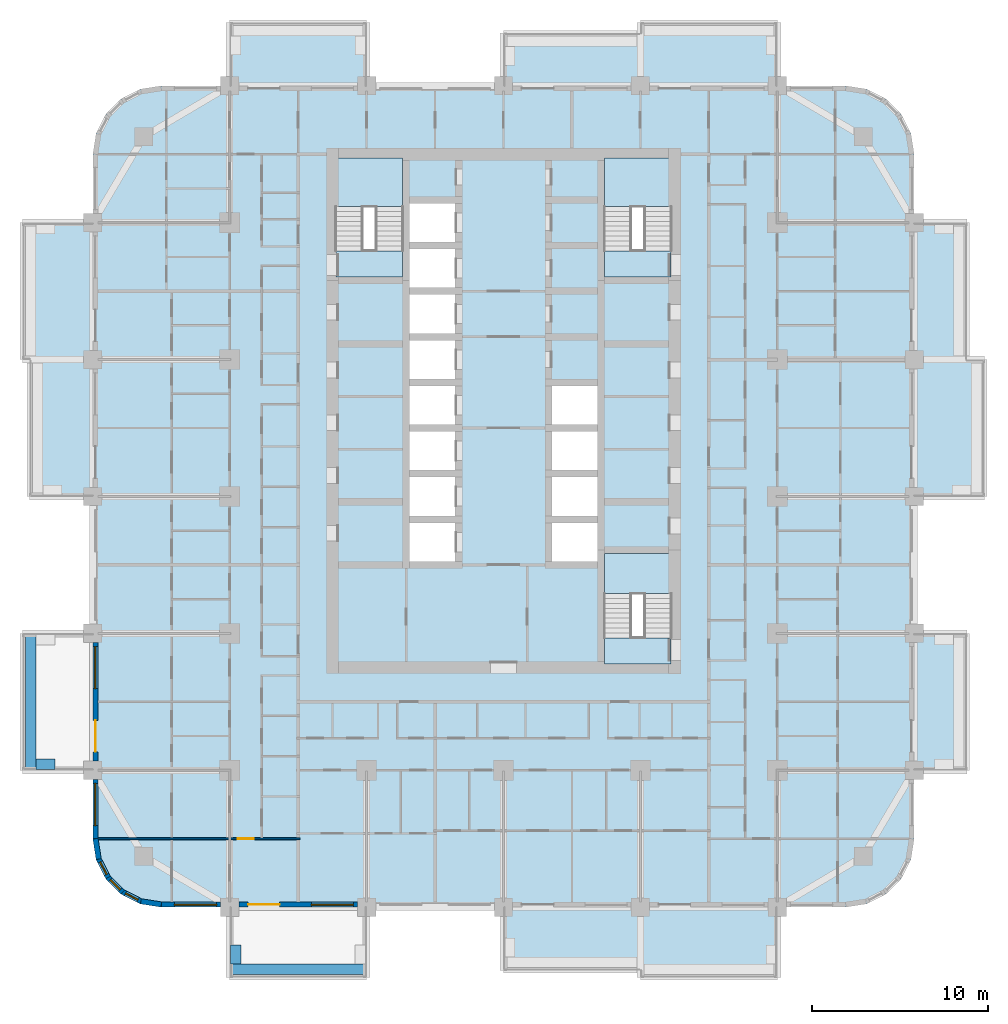
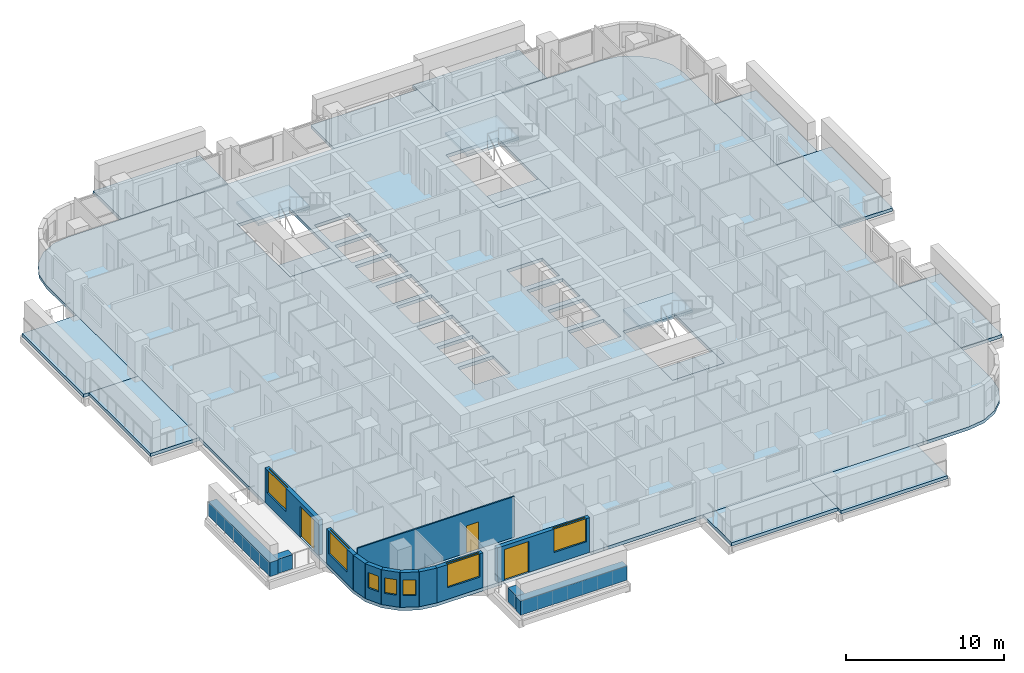
# One storey, part 2 of 18: 17 slabs, 14 walls, 7 windows, 3 doors, 10 openings, 3 elements without a shape of their own.
"""IFC4 building model written with IfcOpenShell, lengths in metres."""

from ifc_helpers import new_model, si_unit, direction, frame, frame_2d, origin, place, context, subcontext, project, spatial, polyline, rectangle, outline, extrude, material, layer, layer_set, type_object, element, fill, aggregate, save


model = new_model("IFC4")

# Units and contexts
model_context = context("Model", 3, precision=1e-05, world=origin(), true_north=direction((0.0, 1.0)))
body_context = subcontext(model_context, "Body", "Model", "MODEL_VIEW")
ifc_project = project(units=[si_unit("LENGTHUNIT", "METRE"), si_unit("AREAUNIT", "SQUARE_METRE"), si_unit("VOLUMEUNIT", "CUBIC_METRE"), si_unit("PLANEANGLEUNIT", "RADIAN"), si_unit("MASSUNIT", "GRAM", prefix="KILO")], contexts=[model_context])

# Site, building, storey
site_placement = place(None, origin())
site = spatial("IfcSite", under=ifc_project, at=site_placement, CompositionType="ELEMENT")
building_placement = place(site_placement, origin())
building = spatial("IfcBuilding", under=site, at=building_placement, Name="Ludao Terraces", CompositionType="ELEMENT")
storey_placement = place(building_placement, frame((0.0, 0.0, 29.699951171875)))
storey = spatial("IfcBuildingStorey", under=building, at=storey_placement, Name="L07", CompositionType="ELEMENT", Elevation=29.699951171875)

# Slabs
ifc_material_1 = material(Name="Concrete C40", Category="concrete")
ifc_layer_1 = layer(ifc_material_1, 0.25)
ifc_layer_set_1 = layer_set([ifc_layer_1], Name="Balcony slab 250 C40")
slab_type_1 = type_object("IfcSlabType", Name="Balcony slab 250 C40", PredefinedType="USERDEFINED", material=ifc_layer_set_1)
slab_1_placement = place(storey_placement, frame((0.0, 0.0, -0.25)))
element("IfcSlab", 1, at=slab_1_placement, inside=storey, type_object=slab_type_1, Name="Balcony L07 S3", ObjectType="BALCONY", PredefinedType="USERDEFINED", context=body_context, shape_type="SweptSolid", body=[
    extrude(outline(polyline([(85.0, 38.0), (92.800048828125, 38.0), (92.800048828125, 41.60009765625), (85.0, 41.60009765625), (85.0, 38.0)])), origin(), (0.0, 0.0, 1.0), 0.25),
])
slab_2_placement = place(storey_placement, frame((0.0, 0.0, -0.25)))
element("IfcSlab", 2, at=slab_2_placement, inside=storey, type_object=slab_type_1, Name="Balcony L07 S4", ObjectType="BALCONY", PredefinedType="USERDEFINED", context=body_context, shape_type="SweptSolid", body=[
    extrude(outline(polyline([(92.800048828125, 37.60009765625), (100.60009765625, 37.60009765625), (100.60009765625, 41.60009765625), (92.800048828125, 41.60009765625), (92.800048828125, 37.60009765625)])), origin(), (0.0, 0.0, 1.0), 0.25),
])
slab_3_placement = place(storey_placement, frame((0.0, 0.0, -0.25)))
element("IfcSlab", 3, at=slab_3_placement, inside=storey, type_object=slab_type_1, Name="Balcony L07 E1", ObjectType="BALCONY", PredefinedType="USERDEFINED", context=body_context, shape_type="SweptSolid", body=[
    extrude(outline(polyline([(108.39990234375, 49.39990234375), (111.39990234375, 49.39990234375), (111.39990234375, 57.199951171875), (108.39990234375, 57.199951171875), (108.39990234375, 49.39990234375)])), origin(), (0.0, 0.0, 1.0), 0.25),
])
slab_4_placement = place(storey_placement, frame((0.0, 0.0, -0.25)))
element("IfcSlab", 4, at=slab_4_placement, inside=storey, type_object=slab_type_1, Name="Balcony L07 E3", ObjectType="BALCONY", PredefinedType="USERDEFINED", context=body_context, shape_type="SweptSolid", body=[
    extrude(outline(polyline([(108.39990234375, 65.0), (112.39990234375, 65.0), (112.39990234375, 72.800048828125), (108.39990234375, 72.800048828125), (108.39990234375, 65.0)])), origin(), (0.0, 0.0, 1.0), 0.25),
])
slab_5_placement = place(storey_placement, frame((0.0, 0.0, -0.25)))
element("IfcSlab", 5, at=slab_5_placement, inside=storey, type_object=slab_type_1, Name="Balcony L07 E4", ObjectType="BALCONY", PredefinedType="USERDEFINED", context=body_context, shape_type="SweptSolid", body=[
    extrude(outline(polyline([(108.39990234375, 72.800048828125), (111.39990234375, 72.800048828125), (111.39990234375, 80.60009765625), (108.39990234375, 80.60009765625), (108.39990234375, 72.800048828125)])), origin(), (0.0, 0.0, 1.0), 0.25),
])
slab_6_placement = place(storey_placement, frame((0.0, 0.0, -0.25)))
element("IfcSlab", 6, at=slab_6_placement, inside=storey, type_object=slab_type_1, Name="Balcony L07 N1", ObjectType="BALCONY", PredefinedType="USERDEFINED", context=body_context, shape_type="SweptSolid", body=[
    extrude(outline(polyline([(69.39990234375, 88.39990234375), (77.199951171875, 88.39990234375), (77.199951171875, 92.0), (69.39990234375, 92.0), (69.39990234375, 88.39990234375)])), origin(), (0.0, 0.0, 1.0), 0.25),
])
slab_7_placement = place(storey_placement, frame((0.0, 0.0, -0.25)))
element("IfcSlab", 7, at=slab_7_placement, inside=storey, type_object=slab_type_1, Name="Balcony L07 N3", ObjectType="BALCONY", PredefinedType="USERDEFINED", context=body_context, shape_type="SweptSolid", body=[
    extrude(outline(polyline([(85.0, 88.39990234375), (92.800048828125, 88.39990234375), (92.800048828125, 91.39990234375), (85.0, 91.39990234375), (85.0, 88.39990234375)])), origin(), (0.0, 0.0, 1.0), 0.25),
])
slab_8_placement = place(storey_placement, frame((0.0, 0.0, -0.25)))
element("IfcSlab", 8, at=slab_8_placement, inside=storey, type_object=slab_type_1, Name="Balcony L07 N4", ObjectType="BALCONY", PredefinedType="USERDEFINED", context=body_context, shape_type="SweptSolid", body=[
    extrude(outline(polyline([(92.800048828125, 88.39990234375), (100.60009765625, 88.39990234375), (100.60009765625, 92.0), (92.800048828125, 92.0), (92.800048828125, 88.39990234375)])), origin(), (0.0, 0.0, 1.0), 0.25),
])
slab_9_placement = place(storey_placement, frame((0.0, 0.0, -0.25)))
element("IfcSlab", 9, at=slab_9_placement, inside=storey, type_object=slab_type_1, Name="Balcony L07 W3", ObjectType="BALCONY", PredefinedType="USERDEFINED", context=body_context, shape_type="SweptSolid", body=[
    extrude(outline(polyline([(58.0, 65.0), (61.60009765625, 65.0), (61.60009765625, 72.800048828125), (58.0, 72.800048828125), (58.0, 65.0)])), origin(), (0.0, 0.0, 1.0), 0.25),
])
slab_10_placement = place(storey_placement, frame((0.0, 0.0, -0.25)))
element("IfcSlab", 10, at=slab_10_placement, inside=storey, type_object=slab_type_1, Name="Balcony L07 W4", ObjectType="BALCONY", PredefinedType="USERDEFINED", context=body_context, shape_type="SweptSolid", body=[
    extrude(outline(polyline([(57.60009765625, 72.800048828125), (61.60009765625, 72.800048828125), (61.60009765625, 80.60009765625), (57.60009765625, 80.60009765625), (57.60009765625, 72.800048828125)])), origin(), (0.0, 0.0, 1.0), 0.25),
])
ifc_layer_2 = layer(ifc_material_1, 0.25)
ifc_layer_set_2 = layer_set([ifc_layer_2], Name="Floor slab 250 C40")
slab_type_2 = type_object("IfcSlabType", Name="Floor slab 250 C40", PredefinedType="FLOOR", material=ifc_layer_set_2)
slab_11_placement = place(storey_placement, frame((0.0, 0.0, -0.25)))
element("IfcSlab", 11, at=slab_11_placement, inside=storey, type_object=slab_type_2, Name="Slab L07", PredefinedType="FLOOR", context=body_context, shape_type="SweptSolid", body=[
    extrude(outline(polyline([(104.5, 41.60009765625), (105.705078125, 41.790771484375), (106.79248046875, 42.3447265625), (107.6552734375, 43.20751953125), (108.209228515625, 44.294921875), (108.39990234375, 45.5), (108.39990234375, 84.5), (108.209228515625, 85.705078125), (107.6552734375, 86.79248046875), (106.79248046875, 87.6552734375), (105.705078125, 88.209228515625), (104.5, 88.39990234375), (65.5, 88.39990234375), (64.294921875, 88.209228515625), (63.20751953125, 87.6552734375), (62.3447265625, 86.79248046875), (61.790771484375, 85.705078125), (61.60009765625, 84.5), (61.60009765625, 45.5), (61.790771484375, 44.294921875), (62.3447265625, 43.20751953125), (63.20751953125, 42.3447265625), (64.294921875, 41.790771484375), (65.5, 41.60009765625), (104.5, 41.60009765625)]), holes=[polyline([(79.64990234375, 61.300048828125), (82.25, 61.300048828125), (82.25, 63.5), (79.64990234375, 63.5), (79.64990234375, 61.300048828125)]), polyline([(79.64990234375, 63.89990234375), (82.25, 63.89990234375), (82.25, 66.10009765625), (79.64990234375, 66.10009765625), (79.64990234375, 63.89990234375)]), polyline([(79.64990234375, 66.5), (82.25, 66.5), (82.25, 68.699951171875), (79.64990234375, 68.699951171875), (79.64990234375, 66.5)]), polyline([(79.64990234375, 69.10009765625), (82.25, 69.10009765625), (82.25, 71.300048828125), (79.64990234375, 71.300048828125), (79.64990234375, 69.10009765625)]), polyline([(79.64990234375, 71.699951171875), (82.25, 71.699951171875), (82.25, 73.89990234375), (79.64990234375, 73.89990234375), (79.64990234375, 71.699951171875)]), polyline([(79.64990234375, 74.300048828125), (82.25, 74.300048828125), (82.25, 76.5), (79.64990234375, 76.5), (79.64990234375, 74.300048828125)]), polyline([(79.64990234375, 76.89990234375), (82.25, 76.89990234375), (82.25, 79.10009765625), (79.64990234375, 79.10009765625), (79.64990234375, 76.89990234375)]), polyline([(79.64990234375, 79.5), (82.25, 79.5), (82.25, 81.699951171875), (79.64990234375, 81.699951171875), (79.64990234375, 79.5)]), polyline([(87.75, 61.300048828125), (90.35009765625, 61.300048828125), (90.35009765625, 63.5), (87.75, 63.5), (87.75, 61.300048828125)]), polyline([(87.75, 63.89990234375), (90.35009765625, 63.89990234375), (90.35009765625, 66.10009765625), (87.75, 66.10009765625), (87.75, 63.89990234375)]), polyline([(87.75, 66.5), (90.35009765625, 66.5), (90.35009765625, 68.699951171875), (87.75, 68.699951171875), (87.75, 66.5)]), polyline([(87.75, 69.10009765625), (90.35009765625, 69.10009765625), (90.35009765625, 71.300048828125), (87.75, 71.300048828125), (87.75, 69.10009765625)]), polyline([(75.449951171875, 77.5), (79.25, 77.5), (79.25, 84.239990234375), (75.449951171875, 84.239990234375), (75.449951171875, 77.5)]), polyline([(90.75, 77.5), (94.550048828125, 77.5), (94.550048828125, 84.239990234375), (90.75, 84.239990234375), (90.75, 77.5)]), polyline([(90.75, 55.449951171875), (94.550048828125, 55.449951171875), (94.550048828125, 61.75), (90.75, 61.75), (90.75, 55.449951171875)])]), origin(), (0.0, 0.0, 1.0), 0.25),
])

# Stair, slabs
stair_type = type_object("IfcStairType", Name="INT Stair", PredefinedType="HALF_TURN_STAIR", material=ifc_material_1)
stair_1_placement = place(storey_placement, origin())
stair_1 = element("IfcStair", 12, at=stair_1_placement, inside=storey, type_object=stair_type, Name="EXIT STAIR 1", PredefinedType="HALF_TURN_STAIR")
ifc_layer_3 = layer(ifc_material_1, 0.199951171875)
ifc_layer_set_3 = layer_set([ifc_layer_3], Name="INT Stair landing 200")
slab_type_3 = type_object("IfcSlabType", Name="INT Stair landing 200", PredefinedType="LANDING", material=ifc_layer_set_3)
slab_12_placement = place(storey_placement, frame((0.0, 0.0, 1.5)))
slab_12 = element("IfcSlab", 13, at=slab_12_placement, type_object=slab_type_3, Name="ST1 landing 1", PredefinedType="LANDING", context=body_context, shape_type="SweptSolid", body=[
    extrude(outline(polyline([(75.449951171875, 81.52001953125), (79.25, 81.52001953125), (79.25, 84.300048828125), (75.449951171875, 84.300048828125), (75.449951171875, 81.52001953125)])), origin(), (0.0, 0.0, 1.0), 0.199951171875),
])
slab_13_placement = place(storey_placement, frame((0.0, 0.0, -0.199951171875)))
slab_13 = element("IfcSlab", 14, at=slab_13_placement, type_object=slab_type_3, Name="ST1 landing 2", PredefinedType="LANDING", context=body_context, shape_type="SweptSolid", body=[
    extrude(outline(polyline([(75.449951171875, 77.5), (79.25, 77.5), (79.25, 79.0), (75.449951171875, 79.0), (75.449951171875, 77.5)])), origin(), (0.0, 0.0, 1.0), 0.199951171875),
])
aggregate(stair_1, [slab_12, slab_13])

stair_2_placement = place(storey_placement, origin())
stair_2 = element("IfcStair", 15, at=stair_2_placement, inside=storey, type_object=stair_type, Name="EXIT STAIR 2", PredefinedType="HALF_TURN_STAIR")
slab_14_placement = place(storey_placement, frame((0.0, 0.0, 1.5)))
slab_14 = element("IfcSlab", 16, at=slab_14_placement, type_object=slab_type_3, Name="ST2 landing 1", PredefinedType="LANDING", context=body_context, shape_type="SweptSolid", body=[
    extrude(outline(polyline([(90.75, 81.52001953125), (94.550048828125, 81.52001953125), (94.550048828125, 84.300048828125), (90.75, 84.300048828125), (90.75, 81.52001953125)])), origin(), (0.0, 0.0, 1.0), 0.199951171875),
])
slab_15_placement = place(storey_placement, frame((0.0, 0.0, -0.199951171875)))
slab_15 = element("IfcSlab", 17, at=slab_15_placement, type_object=slab_type_3, Name="ST2 landing 2", PredefinedType="LANDING", context=body_context, shape_type="SweptSolid", body=[
    extrude(outline(polyline([(90.75, 77.5), (94.550048828125, 77.5), (94.550048828125, 79.0), (90.75, 79.0), (90.75, 77.5)])), origin(), (0.0, 0.0, 1.0), 0.199951171875),
])
aggregate(stair_2, [slab_14, slab_15])

stair_3_placement = place(storey_placement, origin())
stair_3 = element("IfcStair", 18, at=stair_3_placement, inside=storey, type_object=stair_type, Name="EXIT STAIR 3", PredefinedType="HALF_TURN_STAIR")
slab_16_placement = place(storey_placement, frame((0.0, 0.0, 1.5)))
slab_16 = element("IfcSlab", 19, at=slab_16_placement, type_object=slab_type_3, Name="ST3 landing 1", PredefinedType="LANDING", context=body_context, shape_type="SweptSolid", body=[
    extrude(outline(polyline([(90.75, 59.469970703125), (94.550048828125, 59.469970703125), (94.550048828125, 61.75), (90.75, 61.75), (90.75, 59.469970703125)])), origin(), (0.0, 0.0, 1.0), 0.199951171875),
])
slab_17_placement = place(storey_placement, frame((0.0, 0.0, -0.199951171875)))
slab_17 = element("IfcSlab", 20, at=slab_17_placement, type_object=slab_type_3, Name="ST3 landing 2", PredefinedType="LANDING", context=body_context, shape_type="SweptSolid", body=[
    extrude(outline(polyline([(90.75, 55.449951171875), (94.550048828125, 55.449951171875), (94.550048828125, 56.949951171875), (90.75, 56.949951171875), (90.75, 55.449951171875)])), origin(), (0.0, 0.0, 1.0), 0.199951171875),
])
aggregate(stair_3, [slab_16, slab_17])

# Walls
ifc_layer_4 = layer(ifc_material_1, 0.60009765625)
ifc_layer_set_4 = layer_set([ifc_layer_4], Name="ENV Planter trough 600")
wall_type_1 = type_object("IfcWallType", Name="ENV Planter trough 600", PredefinedType="USERDEFINED", material=ifc_layer_set_4)
wall_1_placement = place(storey_placement, frame((69.39990234375, 38.050048828125, 0.0), z_axis=(0.0, 0.0, 1.0), x_axis=(1.0, 0.0, 0.0)))
element("IfcWall", 21, at=wall_1_placement, inside=storey, type_object=wall_type_1, Name="PL-L07-S1", ObjectType="PLANTER", PredefinedType="USERDEFINED", context=body_context, shape_type="SweptSolid", body=[
    extrude(rectangle(XDim=7.800048828125, YDim=0.60009765625, at=frame_2d((3.89990234375, 0.0))), origin(), (0.0, 0.0, 1.0), 1.10009765625),
])
wall_2_placement = place(storey_placement, frame((69.75, 38.35009765625, 0.0), z_axis=(0.0, 0.0, 1.0), x_axis=(0.0, 1.0, 0.0)))
element("IfcWall", 22, at=wall_2_placement, inside=storey, type_object=wall_type_1, Name="PL-L07-S1-SA", ObjectType="PLANTER", PredefinedType="USERDEFINED", context=body_context, shape_type="SweptSolid", body=[
    extrude(rectangle(XDim=1.099853515625, YDim=0.60009765625, at=frame_2d((0.5498046875, 0.0))), origin(), (0.0, 0.0, 1.0), 1.10009765625),
])
wall_3_placement = place(storey_placement, frame((58.050048828125, 49.39990234375, 0.0), z_axis=(0.0, 0.0, 1.0), x_axis=(0.0, 1.0, 0.0)))
element("IfcWall", 23, at=wall_3_placement, inside=storey, type_object=wall_type_1, Name="PL-L07-W1", ObjectType="PLANTER", PredefinedType="USERDEFINED", context=body_context, shape_type="SweptSolid", body=[
    extrude(rectangle(XDim=7.800048828125, YDim=0.60009765625, at=frame_2d((3.89990234375, 0.0))), origin(), (0.0, 0.0, 1.0), 1.10009765625),
])
wall_4_placement = place(storey_placement, frame((58.35009765625, 49.75, 0.0), z_axis=(0.0, 0.0, 1.0), x_axis=(1.0, 0.0, 0.0)))
element("IfcWall", 24, at=wall_4_placement, inside=storey, type_object=wall_type_1, Name="PL-L07-W1-SA", ObjectType="PLANTER", PredefinedType="USERDEFINED", context=body_context, shape_type="SweptSolid", body=[
    extrude(rectangle(XDim=1.099853515625, YDim=0.60009765625, at=frame_2d((0.5498046875, 0.0))), origin(), (0.0, 0.0, 1.0), 1.10009765625),
])

# Wall, opening, window
ifc_material_2 = material(Name="Granite cladding", Category="masonry")
ifc_layer_5 = layer(ifc_material_2, 0.0400390625, Category="stone")
ifc_material_3 = material(Name="Mineral wool")
ifc_layer_6 = layer(ifc_material_3, 0.06005859375)
ifc_layer_7 = layer(ifc_material_1, 0.199951171875, Category="concrete")
ifc_layer_set_5 = layer_set([ifc_layer_5, ifc_layer_6, ifc_layer_7], Name="ENV Stone-clad wall 300")
wall_type_2 = type_object("IfcWallType", Name="ENV Stone-clad wall 300", PredefinedType="SOLIDWALL", material=ifc_layer_set_5)
wall_5_placement = place(storey_placement, frame((65.5, 41.75, 0.0), z_axis=(0.0, 0.0, 1.0), x_axis=(1.0, 0.0, 0.0)))
wall_5 = element("IfcWall", 25, at=wall_5_placement, inside=storey, type_object=wall_type_2, Name="EW-L07-S1", PredefinedType="SOLIDWALL", context=body_context, shape_type="SweptSolid", body=[
    extrude(rectangle(XDim=3.375, YDim=0.300048828125, at=frame_2d((1.6875, 0.0))), origin(), (0.0, 0.0, 1.0), 2.699951171875),
])
opening_1_placement = place(wall_5_placement, frame((0.75, 0.0, 0.89990234375)))
opening_1 = element("IfcOpeningElement", 26, at=opening_1_placement, cuts=wall_5, Name="Opening W1", PredefinedType="OPENING", context=body_context, shape_type="SweptSolid", body=[
    extrude(rectangle(XDim=2.39990234375, YDim=1.800048828125, at=frame_2d((1.199951171875, 0.89990234375))), frame((0.0, 0.16015625, 0.0), z_axis=(0.0, -1.0, 0.0), x_axis=(1.0, 0.0, 0.0)), (0.0, 0.0, 1.0), 0.320068359375),
])
ifc_material_4 = material(Name="Clear glass in aluminium frame", Category="aluminium")
ifc_layer_8 = layer(ifc_material_4, 0.06005859375)
ifc_layer_set_6 = layer_set([ifc_layer_8], Name="ENV Window W1 2400x1800")
window_type_1 = type_object("IfcWindowType", Name="ENV Window W1 2400x1800", PartitioningType="DOUBLE_PANEL_VERTICAL", PredefinedType="WINDOW", material=ifc_layer_set_6)
window_1_placement = place(opening_1_placement, origin())
window_1 = element("IfcWindow", 27, at=window_1_placement, inside=storey, type_object=window_type_1, Name="W-L07-S1-1", OverallHeight=1.800048828125, OverallWidth=2.39990234375, PartitioningType="DOUBLE_PANEL_VERTICAL", PredefinedType="WINDOW", context=body_context, shape_type="SweptSolid", body=[
    extrude(rectangle(XDim=2.39990234375, YDim=1.800048828125, at=frame_2d((1.199951171875, 0.89990234375))), frame((0.0, 0.030029296875, 0.0), z_axis=(0.0, -1.0, 0.0), x_axis=(1.0, 0.0, 0.0)), (0.0, 0.0, 1.0), 0.06005859375),
])
fill(opening_1, window_1)

# Wall, openings, door, window
wall_6_placement = place(storey_placement, frame((69.925048828125, 41.75, 0.0), z_axis=(0.0, 0.0, 1.0), x_axis=(1.0, 0.0, 0.0)))
wall_6 = element("IfcWall", 28, at=wall_6_placement, inside=storey, type_object=wall_type_2, Name="EW-L07-S2", PredefinedType="SOLIDWALL", context=body_context, shape_type="SweptSolid", body=[
    extrude(rectangle(XDim=6.75, YDim=0.300048828125, at=frame_2d((3.375, 0.0))), origin(), (0.0, 0.0, 1.0), 2.699951171875),
])
opening_2_placement = place(wall_6_placement, frame((0.52490234375, 0.0, 0.0)))
opening_2 = element("IfcOpeningElement", 29, at=opening_2_placement, cuts=wall_6, Name="Opening BD", PredefinedType="OPENING", context=body_context, shape_type="SweptSolid", body=[
    extrude(rectangle(XDim=1.800048828125, YDim=2.39990234375, at=frame_2d((0.89990234375, 1.199951171875))), frame((0.0, 0.16015625, 0.0), z_axis=(0.0, -1.0, 0.0), x_axis=(1.0, 0.0, 0.0)), (0.0, 0.0, 1.0), 0.320068359375),
])
opening_3_placement = place(wall_6_placement, frame((4.125, 0.0, 0.89990234375)))
opening_3 = element("IfcOpeningElement", 30, at=opening_3_placement, cuts=wall_6, Name="Opening W1", PredefinedType="OPENING", context=body_context, shape_type="SweptSolid", body=[
    extrude(rectangle(XDim=2.39990234375, YDim=1.800048828125, at=frame_2d((1.199951171875, 0.89990234375))), frame((0.0, 0.16015625, 0.0), z_axis=(0.0, -1.0, 0.0), x_axis=(1.0, 0.0, 0.0)), (0.0, 0.0, 1.0), 0.320068359375),
])
ifc_material_5 = material(Name="Aluminium glazed door", Category="aluminium")
ifc_layer_9 = layer(ifc_material_5, 0.06005859375)
ifc_layer_set_7 = layer_set([ifc_layer_9], Name="ENV Balcony door BD 1800x2400")
door_type_1 = type_object("IfcDoorType", Name="ENV Balcony door BD 1800x2400", OperationType="DOUBLE_DOOR_SINGLE_SWING", PredefinedType="DOOR", material=ifc_layer_set_7)
door_1_placement = place(opening_2_placement, origin())
door_1 = element("IfcDoor", 31, at=door_1_placement, inside=storey, type_object=door_type_1, Name="BD-L07-S2-1", OperationType="DOUBLE_DOOR_SINGLE_SWING", OverallHeight=2.39990234375, OverallWidth=1.800048828125, PredefinedType="DOOR", context=body_context, shape_type="SweptSolid", body=[
    extrude(rectangle(XDim=1.800048828125, YDim=2.39990234375, at=frame_2d((0.89990234375, 1.199951171875))), frame((0.0, 0.02490234375, 0.0), z_axis=(0.0, -1.0, 0.0), x_axis=(1.0, 0.0, 0.0)), (0.0, 0.0, 1.0), 0.050048828125),
])
fill(opening_2, door_1)
window_2_placement = place(opening_3_placement, origin())
window_2 = element("IfcWindow", 32, at=window_2_placement, inside=storey, type_object=window_type_1, Name="W-L07-S2-2", OverallHeight=1.800048828125, OverallWidth=2.39990234375, PartitioningType="DOUBLE_PANEL_VERTICAL", PredefinedType="WINDOW", context=body_context, shape_type="SweptSolid", body=[
    extrude(rectangle(XDim=2.39990234375, YDim=1.800048828125, at=frame_2d((1.199951171875, 0.89990234375))), frame((0.0, 0.030029296875, 0.0), z_axis=(0.0, -1.0, 0.0), x_axis=(1.0, 0.0, 0.0)), (0.0, 0.0, 1.0), 0.06005859375),
])
fill(opening_3, window_2)

# Wall, opening, window
wall_7_placement = place(storey_placement, frame((61.75, 45.5, 0.0), z_axis=(0.0, 0.0, 1.0), x_axis=(0.0, 1.0, 0.0)))
wall_7 = element("IfcWall", 33, at=wall_7_placement, inside=storey, type_object=wall_type_2, Name="EW-L07-W1", PredefinedType="SOLIDWALL", context=body_context, shape_type="SweptSolid", body=[
    extrude(rectangle(XDim=3.375, YDim=0.300048828125, at=frame_2d((1.6875, 0.0))), origin(), (0.0, 0.0, 1.0), 2.699951171875),
])
opening_4_placement = place(wall_7_placement, frame((0.75, 0.0, 0.89990234375)))
opening_4 = element("IfcOpeningElement", 34, at=opening_4_placement, cuts=wall_7, Name="Opening W1", PredefinedType="OPENING", context=body_context, shape_type="SweptSolid", body=[
    extrude(rectangle(XDim=2.39990234375, YDim=1.800048828125, at=frame_2d((1.199951171875, 0.89990234375))), frame((0.0, 0.16015625, 0.0), z_axis=(0.0, -1.0, 0.0), x_axis=(1.0, 0.0, 0.0)), (0.0, 0.0, 1.0), 0.320068359375),
])
window_3_placement = place(opening_4_placement, origin())
window_3 = element("IfcWindow", 35, at=window_3_placement, inside=storey, type_object=window_type_1, Name="W-L07-W1-1", OverallHeight=1.800048828125, OverallWidth=2.39990234375, PartitioningType="DOUBLE_PANEL_VERTICAL", PredefinedType="WINDOW", context=body_context, shape_type="SweptSolid", body=[
    extrude(rectangle(XDim=2.39990234375, YDim=1.800048828125, at=frame_2d((1.199951171875, 0.89990234375))), frame((0.0, 0.030029296875, 0.0), z_axis=(0.0, -1.0, 0.0), x_axis=(1.0, 0.0, 0.0)), (0.0, 0.0, 1.0), 0.06005859375),
])
fill(opening_4, window_3)

# Wall, openings, door, window
wall_8_placement = place(storey_placement, frame((61.75, 49.925048828125, 0.0), z_axis=(0.0, 0.0, 1.0), x_axis=(0.0, 1.0, 0.0)))
wall_8 = element("IfcWall", 36, at=wall_8_placement, inside=storey, type_object=wall_type_2, Name="EW-L07-W2", PredefinedType="SOLIDWALL", context=body_context, shape_type="SweptSolid", body=[
    extrude(rectangle(XDim=6.75, YDim=0.300048828125, at=frame_2d((3.375, 0.0))), origin(), (0.0, 0.0, 1.0), 2.699951171875),
])
opening_5_placement = place(wall_8_placement, frame((0.52490234375, 0.0, 0.0)))
opening_5 = element("IfcOpeningElement", 37, at=opening_5_placement, cuts=wall_8, Name="Opening BD", PredefinedType="OPENING", context=body_context, shape_type="SweptSolid", body=[
    extrude(rectangle(XDim=1.800048828125, YDim=2.39990234375, at=frame_2d((0.89990234375, 1.199951171875))), frame((0.0, 0.16015625, 0.0), z_axis=(0.0, -1.0, 0.0), x_axis=(1.0, 0.0, 0.0)), (0.0, 0.0, 1.0), 0.320068359375),
])
opening_6_placement = place(wall_8_placement, frame((4.125, 0.0, 0.89990234375)))
opening_6 = element("IfcOpeningElement", 38, at=opening_6_placement, cuts=wall_8, Name="Opening W1", PredefinedType="OPENING", context=body_context, shape_type="SweptSolid", body=[
    extrude(rectangle(XDim=2.39990234375, YDim=1.800048828125, at=frame_2d((1.199951171875, 0.89990234375))), frame((0.0, 0.16015625, 0.0), z_axis=(0.0, -1.0, 0.0), x_axis=(1.0, 0.0, 0.0)), (0.0, 0.0, 1.0), 0.320068359375),
])
door_2_placement = place(opening_5_placement, origin())
door_2 = element("IfcDoor", 39, at=door_2_placement, inside=storey, type_object=door_type_1, Name="BD-L07-W2-1", OperationType="DOUBLE_DOOR_SINGLE_SWING", OverallHeight=2.39990234375, OverallWidth=1.800048828125, PredefinedType="DOOR", context=body_context, shape_type="SweptSolid", body=[
    extrude(rectangle(XDim=1.800048828125, YDim=2.39990234375, at=frame_2d((0.89990234375, 1.199951171875))), frame((0.0, 0.02490234375, 0.0), z_axis=(0.0, -1.0, 0.0), x_axis=(1.0, 0.0, 0.0)), (0.0, 0.0, 1.0), 0.050048828125),
])
fill(opening_5, door_2)
window_4_placement = place(opening_6_placement, origin())
window_4 = element("IfcWindow", 40, at=window_4_placement, inside=storey, type_object=window_type_1, Name="W-L07-W2-2", OverallHeight=1.800048828125, OverallWidth=2.39990234375, PartitioningType="DOUBLE_PANEL_VERTICAL", PredefinedType="WINDOW", context=body_context, shape_type="SweptSolid", body=[
    extrude(rectangle(XDim=2.39990234375, YDim=1.800048828125, at=frame_2d((1.199951171875, 0.89990234375))), frame((0.0, 0.030029296875, 0.0), z_axis=(0.0, -1.0, 0.0), x_axis=(1.0, 0.0, 0.0)), (0.0, 0.0, 1.0), 0.06005859375),
])
fill(opening_6, window_4)

# Wall
wall_9_placement = place(storey_placement, frame((61.75, 45.5, 0.0), z_axis=(0.0, 0.0, 1.0), x_axis=(0.156496880861, -0.987678452879, 0.0)))
element("IfcWall", 41, at=wall_9_placement, inside=storey, type_object=wall_type_2, Name="EW-L07-SW1", PredefinedType="SOLIDWALL", context=body_context, shape_type="SweptSolid", body=[
    extrude(rectangle(XDim=1.173095703125, YDim=0.300048828125, at=frame_2d((0.58642578125, 0.0))), origin(), (0.0, 0.0, 1.0), 2.699951171875),
])

# Wall, opening, window
wall_10_placement = place(storey_placement, frame((61.93359375, 44.34130859375, 0.0), z_axis=(0.0, 0.0, 1.0), x_axis=(0.454025524128, -0.890988677504, 0.0)))
wall_10 = element("IfcWall", 42, at=wall_10_placement, inside=storey, type_object=wall_type_2, Name="EW-L07-SW2", PredefinedType="SOLIDWALL", context=body_context, shape_type="SweptSolid", body=[
    extrude(rectangle(XDim=1.17333984375, YDim=0.300048828125, at=frame_2d((0.586669921875, 0.0))), origin(), (0.0, 0.0, 1.0), 2.699951171875),
])
opening_7_placement = place(wall_10_placement, frame((0.1865234375, 0.0, 0.89990234375)))
opening_7 = element("IfcOpeningElement", 43, at=opening_7_placement, cuts=wall_10, Name="Opening W3", PredefinedType="OPENING", context=body_context, shape_type="SweptSolid", body=[
    extrude(rectangle(XDim=0.800048828125, YDim=1.199951171875, at=frame_2d((0.39990234375, 0.60009765625))), frame((0.0, 0.16015625, 0.0), z_axis=(0.0, -1.0, 0.0), x_axis=(1.0, 0.0, 0.0)), (0.0, 0.0, 1.0), 0.320068359375),
])
ifc_layer_10 = layer(ifc_material_4, 0.06005859375)
ifc_layer_set_8 = layer_set([ifc_layer_10], Name="ENV Window W3 800x1200")
window_type_2 = type_object("IfcWindowType", Name="ENV Window W3 800x1200", PartitioningType="SINGLE_PANEL", PredefinedType="WINDOW", material=ifc_layer_set_8)
window_5_placement = place(opening_7_placement, origin())
window_5 = element("IfcWindow", 44, at=window_5_placement, inside=storey, type_object=window_type_2, Name="W-L07-SW2", OverallHeight=1.199951171875, OverallWidth=0.800048828125, PartitioningType="SINGLE_PANEL", PredefinedType="WINDOW", context=body_context, shape_type="SweptSolid", body=[
    extrude(rectangle(XDim=0.800048828125, YDim=1.199951171875, at=frame_2d((0.39990234375, 0.60009765625))), frame((0.0, 0.030029296875, 0.0), z_axis=(0.0, -1.0, 0.0), x_axis=(1.0, 0.0, 0.0)), (0.0, 0.0, 1.0), 0.06005859375),
])
fill(opening_7, window_5)

wall_11_placement = place(storey_placement, frame((62.46630859375, 43.2958984375, 0.0), z_axis=(0.0, 0.0, 1.0), x_axis=(0.707106781187, -0.707106781187, 0.0)))
wall_11 = element("IfcWall", 45, at=wall_11_placement, inside=storey, type_object=wall_type_2, Name="EW-L07-SW3", PredefinedType="SOLIDWALL", context=body_context, shape_type="SweptSolid", body=[
    extrude(rectangle(XDim=1.173095703125, YDim=0.300048828125, at=frame_2d((0.58642578125, 0.0))), origin(), (0.0, 0.0, 1.0), 2.699951171875),
])
opening_8_placement = place(wall_11_placement, frame((0.1865234375, 0.0, 0.89990234375)))
opening_8 = element("IfcOpeningElement", 46, at=opening_8_placement, cuts=wall_11, Name="Opening W3", PredefinedType="OPENING", context=body_context, shape_type="SweptSolid", body=[
    extrude(rectangle(XDim=0.800048828125, YDim=1.199951171875, at=frame_2d((0.39990234375, 0.60009765625))), frame((0.0, 0.16015625, 0.0), z_axis=(0.0, -1.0, 0.0), x_axis=(1.0, 0.0, 0.0)), (0.0, 0.0, 1.0), 0.320068359375),
])
window_6_placement = place(opening_8_placement, origin())
window_6 = element("IfcWindow", 47, at=window_6_placement, inside=storey, type_object=window_type_2, Name="W-L07-SW3", OverallHeight=1.199951171875, OverallWidth=0.800048828125, PartitioningType="SINGLE_PANEL", PredefinedType="WINDOW", context=body_context, shape_type="SweptSolid", body=[
    extrude(rectangle(XDim=0.800048828125, YDim=1.199951171875, at=frame_2d((0.39990234375, 0.60009765625))), frame((0.0, 0.030029296875, 0.0), z_axis=(0.0, -1.0, 0.0), x_axis=(1.0, 0.0, 0.0)), (0.0, 0.0, 1.0), 0.06005859375),
])
fill(opening_8, window_6)

wall_12_placement = place(storey_placement, frame((63.2958984375, 42.46630859375, 0.0), z_axis=(0.0, 0.0, 1.0), x_axis=(0.890988677504, -0.454025524128, 0.0)))
wall_12 = element("IfcWall", 48, at=wall_12_placement, inside=storey, type_object=wall_type_2, Name="EW-L07-SW4", PredefinedType="SOLIDWALL", context=body_context, shape_type="SweptSolid", body=[
    extrude(rectangle(XDim=1.17333984375, YDim=0.300048828125, at=frame_2d((0.586669921875, 0.0))), origin(), (0.0, 0.0, 1.0), 2.699951171875),
])
opening_9_placement = place(wall_12_placement, frame((0.1865234375, 0.0, 0.89990234375)))
opening_9 = element("IfcOpeningElement", 49, at=opening_9_placement, cuts=wall_12, Name="Opening W3", PredefinedType="OPENING", context=body_context, shape_type="SweptSolid", body=[
    extrude(rectangle(XDim=0.800048828125, YDim=1.199951171875, at=frame_2d((0.39990234375, 0.60009765625))), frame((0.0, 0.16015625, 0.0), z_axis=(0.0, -1.0, 0.0), x_axis=(1.0, 0.0, 0.0)), (0.0, 0.0, 1.0), 0.320068359375),
])
window_7_placement = place(opening_9_placement, origin())
window_7 = element("IfcWindow", 50, at=window_7_placement, inside=storey, type_object=window_type_2, Name="W-L07-SW4", OverallHeight=1.199951171875, OverallWidth=0.800048828125, PartitioningType="SINGLE_PANEL", PredefinedType="WINDOW", context=body_context, shape_type="SweptSolid", body=[
    extrude(rectangle(XDim=0.800048828125, YDim=1.199951171875, at=frame_2d((0.39990234375, 0.60009765625))), frame((0.0, 0.030029296875, 0.0), z_axis=(0.0, -1.0, 0.0), x_axis=(1.0, 0.0, 0.0)), (0.0, 0.0, 1.0), 0.06005859375),
])
fill(opening_9, window_7)

# Wall
wall_13_placement = place(storey_placement, frame((64.34130859375, 41.93359375, 0.0), z_axis=(0.0, 0.0, 1.0), x_axis=(0.987678452879, -0.156496880861, 0.0)))
element("IfcWall", 51, at=wall_13_placement, inside=storey, type_object=wall_type_2, Name="EW-L07-SW5", PredefinedType="SOLIDWALL", context=body_context, shape_type="SweptSolid", body=[
    extrude(rectangle(XDim=1.173095703125, YDim=0.300048828125, at=frame_2d((0.58642578125, 0.0))), origin(), (0.0, 0.0, 1.0), 2.699951171875),
])

# Wall, opening, door
ifc_material_6 = material(Name="Gypsum plasterboard", Category="gypsum")
ifc_layer_11 = layer(ifc_material_6, 0.012451171875, Category="gypsum")
ifc_layer_12 = layer(ifc_material_3, 0.06005859375, Name="insulation")
ifc_material_7 = material(Name="Steel Q235", Category="steel")
ifc_layer_13 = layer(ifc_material_7, 0.014892578125, Name="stud")
ifc_layer_14 = layer(ifc_material_6, 0.012451171875, Category="gypsum")
ifc_layer_set_9 = layer_set([ifc_layer_11, ifc_layer_12, ifc_layer_13, ifc_layer_14], Name="INT Partition 100")
wall_type_3 = type_object("IfcWallType", Name="INT Partition 100", PredefinedType="PARTITIONING", material=ifc_layer_set_9)
wall_14_placement = place(storey_placement, frame((61.900146484375, 45.5, 0.0), z_axis=(0.0, 0.0, 1.0), x_axis=(1.0, 0.0, 0.0)))
wall_14 = element("IfcWall", 52, at=wall_14_placement, inside=storey, type_object=wall_type_3, Name="PW-L07-PW000", PredefinedType="PARTITIONING", context=body_context, shape_type="SweptSolid", body=[
    extrude(rectangle(XDim=11.5, YDim=0.10009765625, at=frame_2d((5.75, 0.0))), origin(), (0.0, 0.0, 1.0), 3.150146484375),
])
opening_10_placement = place(wall_14_placement, frame((7.965087890625, 0.0, 0.0)))
opening_10 = element("IfcOpeningElement", 53, at=opening_10_placement, cuts=wall_14, Name="Opening R02-005", PredefinedType="OPENING", context=body_context, shape_type="SweptSolid", body=[
    extrude(rectangle(XDim=0.89990234375, YDim=2.10009765625, at=frame_2d((0.449951171875, 1.050048828125))), frame((0.0, 0.06005859375, 0.0), z_axis=(0.0, -1.0, 0.0), x_axis=(1.0, 0.0, 0.0)), (0.0, 0.0, 1.0), 0.1201171875),
])
ifc_material_8 = material(Name="Timber door leaf", Category="wood")
door_type_2 = type_object("IfcDoorType", Name="INT Room door 900", OperationType="SINGLE_SWING_LEFT", PredefinedType="DOOR", material=ifc_material_8)
door_3_placement = place(opening_10_placement, origin())
door_3 = element("IfcDoor", 54, at=door_3_placement, inside=storey, type_object=door_type_2, Name="DOOR 005", OperationType="SINGLE_SWING_RIGHT", OverallHeight=2.10009765625, OverallWidth=0.89990234375, PredefinedType="DOOR", context=body_context, shape_type="SweptSolid", body=[
    extrude(rectangle(XDim=0.89990234375, YDim=2.10009765625, at=frame_2d((0.449951171875, 1.050048828125))), frame((0.0, 0.02490234375, 0.0), z_axis=(0.0, -1.0, 0.0), x_axis=(1.0, 0.0, 0.0)), (0.0, 0.0, 1.0), 0.050048828125),
])
fill(opening_10, door_3)

save(model, "model.ifc")
